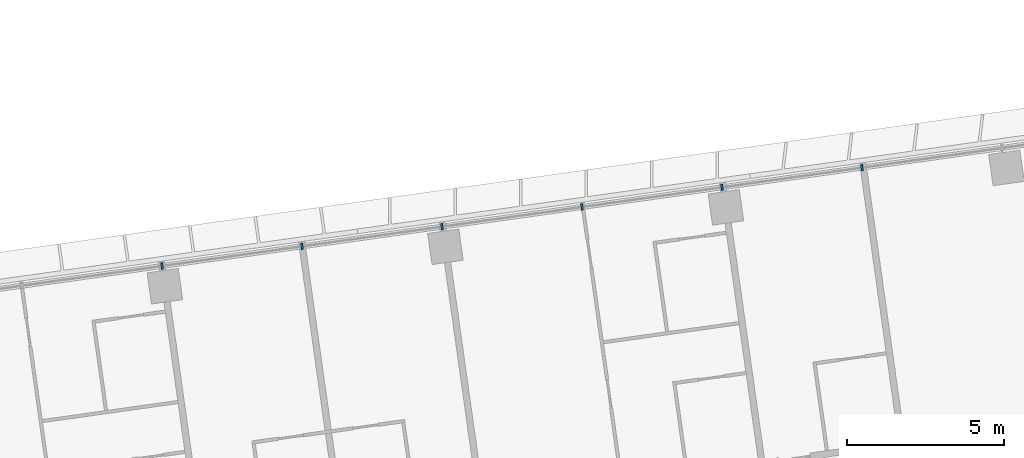
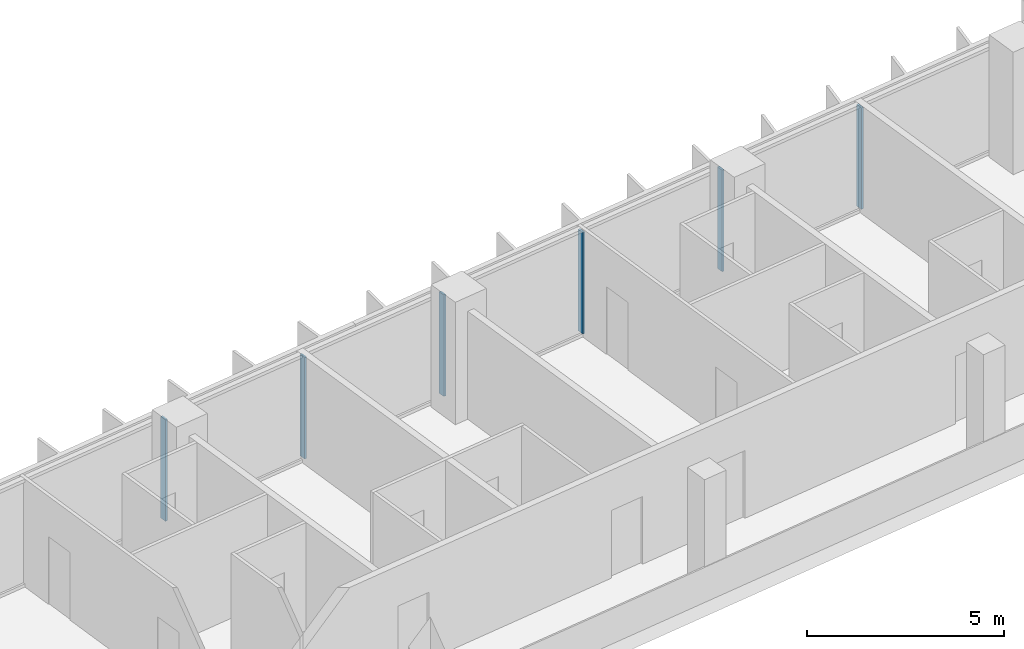
# One storey, part 10 of 25: 6 members, 1 element without a shape of its own.
"""IFC4 building model written with IfcOpenShell, lengths in metres."""

from ifc_helpers import new_model, si_unit, direction, frame, origin, origin_2d, place, context, subcontext, project, spatial, rectangle, extrude, material, material_profile, profile_set, type_object, element, aggregate, save


model = new_model("IFC4")

# Units and contexts
model_context = context("Model", 3, precision=1e-05, world=origin(), true_north=direction((0.0, 1.0)))
body_context = subcontext(model_context, "Body", "Model", "MODEL_VIEW")
ifc_project = project(units=[si_unit("LENGTHUNIT", "METRE"), si_unit("AREAUNIT", "SQUARE_METRE"), si_unit("VOLUMEUNIT", "CUBIC_METRE"), si_unit("PLANEANGLEUNIT", "RADIAN"), si_unit("MASSUNIT", "GRAM", prefix="KILO")], contexts=[model_context])

# Site, building, storey
site_placement = place(None, origin())
site = spatial("IfcSite", under=ifc_project, at=site_placement, CompositionType="ELEMENT")
building_placement = place(site_placement, origin())
building = spatial("IfcBuilding", under=site, at=building_placement, Name="Mirante Cascada Hotel Towers", CompositionType="ELEMENT")
storey_placement = place(building_placement, frame((0.0, 0.0, 58.5)))
storey = spatial("IfcBuildingStorey", under=building, at=storey_placement, Name="L11", CompositionType="ELEMENT", Elevation=58.5)

# Curtain wall, members
ifc_material_1 = material(Name="Aluminium mullion and transom frame with clear laminated glass", Category="aluminium")
curtain_wall_type = type_object("IfcCurtainWallType", Name="Ribbon curtain wall ECW1", PredefinedType="NOTDEFINED", material=ifc_material_1)
curtain_wall_placement = place(storey_placement, origin())
curtain_wall = element("IfcCurtainWall", 1, at=curtain_wall_placement, inside=storey, type_object=curtain_wall_type, Name="Front ribbon wall T2 L11", PredefinedType="NOTDEFINED")
ifc_material_2 = material(Name="Anodised aluminium extrusion", Category="aluminium")
ifc_material_profile = material_profile(ifc_material_2, rectangle(XDim=0.2, YDim=0.065, at=origin_2d()), Name="ECW1 MULLION 65x200")
ifc_profile_set = profile_set([ifc_material_profile], Name="Anodised aluminium extrusion")
member_type = type_object("IfcMemberType", Name="ECW1 mullion 65x200", PredefinedType="MULLION", material=ifc_profile_set)
member_1_placement = place(storey_placement, frame((85.2633, 24.802, 0.1), z_axis=(0.0, 0.0, 1.0), x_axis=(0.1391731, -0.9902681, 0.0)))
member_1 = element("IfcMember", 2, at=member_1_placement, type_object=member_type, Name="ECW1 mullion 3", PredefinedType="MULLION", context=body_context, shape_type="SweptSolid", body=[
    extrude(rectangle(XDim=0.2, YDim=0.065, at=origin_2d()), origin(), (0.0, 0.0, 1.0), 3.15),
])
member_2_placement = place(storey_placement, frame((80.8159, 24.177, 0.1), z_axis=(0.0, 0.0, 1.0), x_axis=(0.1391731, -0.9902681, 0.0)))
member_2 = element("IfcMember", 3, at=member_2_placement, type_object=member_type, Name="ECW1 mullion 4", PredefinedType="MULLION", context=body_context, shape_type="SweptSolid", body=[
    extrude(rectangle(XDim=0.2, YDim=0.065, at=origin_2d()), origin(), (0.0, 0.0, 1.0), 3.15),
])
member_3_placement = place(storey_placement, frame((76.3685, 23.5519, 0.1), z_axis=(0.0, 0.0, 1.0), x_axis=(0.1391731, -0.9902681, 0.0)))
member_3 = element("IfcMember", 4, at=member_3_placement, type_object=member_type, Name="ECW1 mullion 5", PredefinedType="MULLION", context=body_context, shape_type="SweptSolid", body=[
    extrude(rectangle(XDim=0.2, YDim=0.065, at=origin_2d()), origin(), (0.0, 0.0, 1.0), 3.15),
])
member_4_placement = place(storey_placement, frame((71.9211, 22.9269, 0.1), z_axis=(0.0, 0.0, 1.0), x_axis=(0.1391731, -0.9902681, 0.0)))
member_4 = element("IfcMember", 5, at=member_4_placement, type_object=member_type, Name="ECW1 mullion 6", PredefinedType="MULLION", context=body_context, shape_type="SweptSolid", body=[
    extrude(rectangle(XDim=0.2, YDim=0.065, at=origin_2d()), origin(), (0.0, 0.0, 1.0), 3.15),
])
member_5_placement = place(storey_placement, frame((67.4737, 22.3018, 0.1), z_axis=(0.0, 0.0, 1.0), x_axis=(0.1391731, -0.9902681, 0.0)))
member_5 = element("IfcMember", 6, at=member_5_placement, type_object=member_type, Name="ECW1 mullion 7", PredefinedType="MULLION", context=body_context, shape_type="SweptSolid", body=[
    extrude(rectangle(XDim=0.2, YDim=0.065, at=origin_2d()), origin(), (0.0, 0.0, 1.0), 3.15),
])
member_6_placement = place(storey_placement, frame((63.0262, 21.6768, 0.1), z_axis=(0.0, 0.0, 1.0), x_axis=(0.1391731, -0.9902681, 0.0)))
member_6 = element("IfcMember", 7, at=member_6_placement, type_object=member_type, Name="ECW1 mullion 8", PredefinedType="MULLION", context=body_context, shape_type="SweptSolid", body=[
    extrude(rectangle(XDim=0.2, YDim=0.065, at=origin_2d()), origin(), (0.0, 0.0, 1.0), 3.15),
])
aggregate(curtain_wall, [member_1, member_2, member_3, member_4, member_5, member_6])

save(model, "model.ifc")
